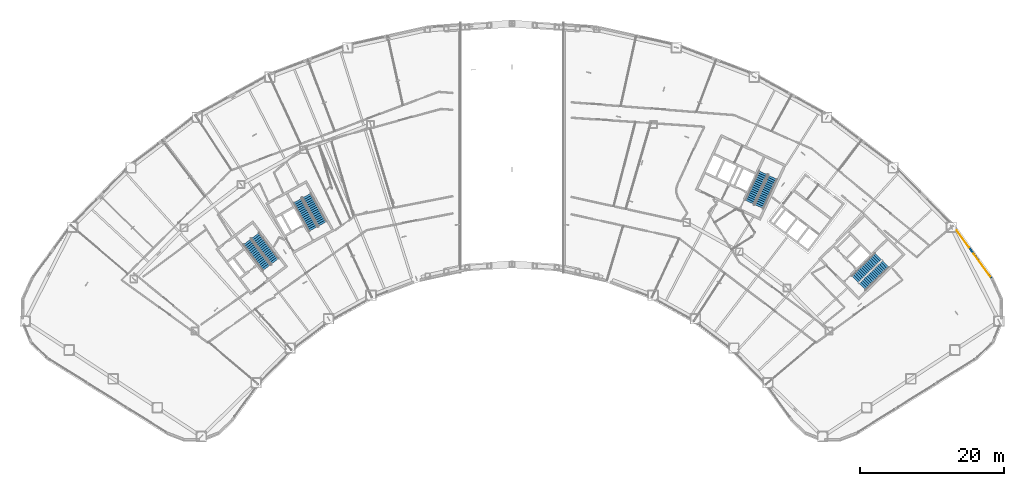
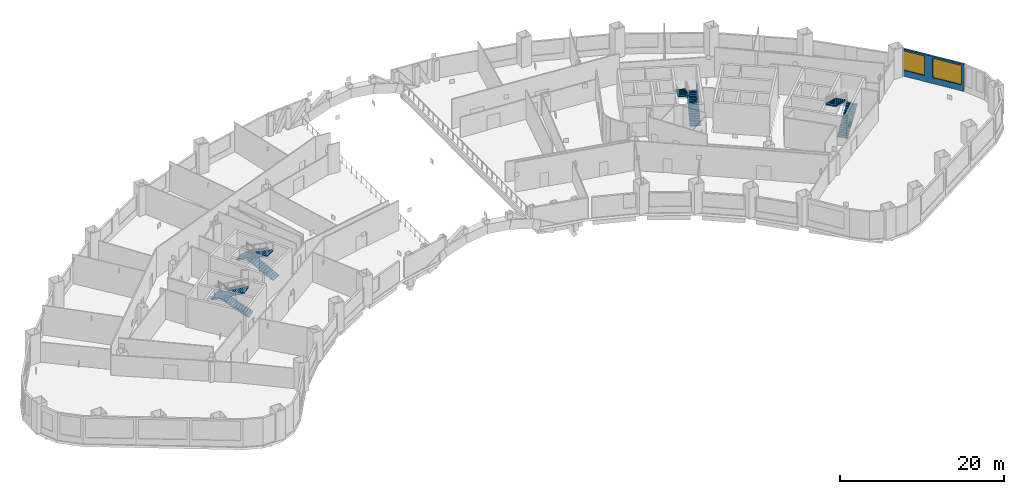
# One storey, part 13 of 24: 8 stair flights, 2 windows, 1 wall, 2 openings, 4 elements without a shape of their own.
"""IFC4 building model written with IfcOpenShell, lengths in metres."""

import ifcopenshell
import ifcopenshell.guid

model = None  # the IFC model being written
_history = None  # IfcOwnerHistory: only IFC2X3 demands one
_inside = {}  # id of a spatial element -> (the spatial element, [elements in it])
_under = {}  # id of a project, library or spatial element -> (it, [spatial elements below it])
_declared = {}  # id of a project -> (the project, [libraries it declares])
_typed = {}  # id of a type object -> (the type object, [elements of that type])
_made_of = {}  # id of a material, layer set ... -> (it, [elements and type objects made of it])


def new_model(schema):
    """Start an empty IFC model of exactly this schema.

    Asked for "IFC4X3", IfcOpenShell would pick the latest addendum, in which some entities
    have other attributes; the version numbers below select the first issue.
    IFC2X3 requires an IfcOwnerHistory on every rooted entity: one is made here for all.
    """
    global model, _history
    if schema == "IFC4X3":
        model = ifcopenshell.file(schema_version=(4, 3, 0, 0))
    else:
        model = ifcopenshell.file(schema=schema)
    _inside.clear()
    _under.clear()
    _declared.clear()
    _typed.clear()
    _made_of.clear()
    _history = None
    if model.schema == "IFC2X3":
        org = make("IfcOrganization", Name="unknown")
        user = make(
            "IfcPersonAndOrganization",
            ThePerson=make("IfcPerson", FamilyName="unknown"),
            TheOrganization=org,
        )
        app = make(
            "IfcApplication",
            ApplicationDeveloper=org,
            Version="unknown",
            ApplicationFullName="unknown",
            ApplicationIdentifier="unknown",
        )
        _history = make(
            "IfcOwnerHistory",
            OwningUser=user,
            OwningApplication=app,
            ChangeAction="ADDED",
            CreationDate=0,
        )
    return model


def make(cls, **values):
    """One entity of the class cls with the attributes given. An attribute that is None is left unset."""
    return model.create_entity(
        cls, **{name: value for name, value in values.items() if value is not None}
    )


def rooted(cls, **values):
    """An entity with a GlobalId (a new one), such as an element, a storey or a relation."""
    return make(cls, GlobalId=ifcopenshell.guid.new(), OwnerHistory=_history, **values)


def si_unit(unit_type, name, prefix=None):
    """IfcSIUnit, for example si_unit("LENGTHUNIT", "METRE", prefix="MILLI")."""
    return make("IfcSIUnit", UnitType=unit_type, Prefix=prefix, Name=name)


def assignment(units):
    """IfcUnitAssignment: the units of a project."""
    return None if units is None else make("IfcUnitAssignment", Units=units)


def point(xyz):
    """IfcCartesianPoint."""
    return None if xyz is None else make("IfcCartesianPoint", Coordinates=xyz)


def direction(xyz):
    """IfcDirection."""
    return None if xyz is None else make("IfcDirection", DirectionRatios=xyz)


def frame(location, z_axis=None, x_axis=None):
    """IfcAxis2Placement3D, a coordinate frame: its origin and axes. An axis left out is left unset."""
    return make(
        "IfcAxis2Placement3D",
        Location=point(location),
        Axis=direction(z_axis),
        RefDirection=direction(x_axis),
    )


def frame_2d(location, x_axis=None):
    """IfcAxis2Placement2D, a coordinate frame in the plane: its origin and x axis."""
    return make(
        "IfcAxis2Placement2D", Location=point(location), RefDirection=direction(x_axis)
    )


def origin():
    """The frame at (0, 0, 0) with its axes left unset."""
    return frame((0.0, 0.0, 0.0))


def place(relative_to, where):
    """IfcLocalPlacement: puts the frame where relative to a parent placement (None: the world)."""
    return make(
        "IfcLocalPlacement", PlacementRelTo=relative_to, RelativePlacement=where
    )


def context(
    kind, dimensions, precision=None, world=None, true_north=None, identifier=None
):
    """IfcGeometricRepresentationContext, for example the 3D "Model" context."""
    return make(
        "IfcGeometricRepresentationContext",
        ContextIdentifier=identifier,
        ContextType=kind,
        CoordinateSpaceDimension=dimensions,
        Precision=precision,
        WorldCoordinateSystem=world,
        TrueNorth=true_north,
    )


def subcontext(parent, identifier, kind, view, scale=None):
    """IfcGeometricRepresentationSubContext, for example "Body" below "Model"."""
    return make(
        "IfcGeometricRepresentationSubContext",
        ContextIdentifier=identifier,
        ContextType=kind,
        ParentContext=parent,
        TargetScale=scale,
        TargetView=view,
    )


def project(units=None, contexts=None):
    """IfcProject with its units and contexts."""
    return rooted(
        "IfcProject",
        Name="project",
        RepresentationContexts=contexts,
        UnitsInContext=assignment(units),
    )


def spatial(cls, under=None, at=None, **own):
    """A site, building, storey or space (cls), placed at a placement, below another one or the project."""
    s = rooted(cls, ObjectPlacement=at, **own)
    if under is not None:
        _under.setdefault(under.id(), (under, []))[1].append(s)
    return s


def polyline(points):
    """IfcPolyline through the points."""
    return make("IfcPolyline", Points=[point(p) for p in points])


def profile(cls, at=None, kind="AREA", **sizes):
    """A parametric profile (cls). Its sizes go by their IFC names, for example OverallWidth=200.0."""
    return make(cls, ProfileType=kind, Position=at, **sizes)


def rectangle(**sizes):
    """IfcRectangleProfileDef."""
    return profile("IfcRectangleProfileDef", **sizes)


def outline(outer, holes=None, kind="AREA"):
    """IfcArbitraryClosedProfileDef: a profile drawn as a closed curve; with holes, ...WithVoids."""
    if holes is None:
        return make("IfcArbitraryClosedProfileDef", ProfileType=kind, OuterCurve=outer)
    return make(
        "IfcArbitraryProfileDefWithVoids",
        ProfileType=kind,
        OuterCurve=outer,
        InnerCurves=holes,
    )


def extrude(swept, where, along, depth):
    """IfcExtrudedAreaSolid: the profile swept, set in the frame where, extruded along a direction by depth."""
    return make(
        "IfcExtrudedAreaSolid",
        SweptArea=swept,
        Position=where,
        ExtrudedDirection=direction(along),
        Depth=depth,
    )


def shape(context_of_items, identifier, shape_type, items):
    """IfcShapeRepresentation: the items that make up one representation, for example the "Body"."""
    return make(
        "IfcShapeRepresentation",
        ContextOfItems=context_of_items,
        RepresentationIdentifier=identifier,
        RepresentationType=shape_type,
        Items=items,
    )


def material(Name=None, Category=None):
    """IfcMaterial."""
    return make("IfcMaterial", Name=Name, Category=Category)


def layer(
    of_material, thickness, ventilated=None, Name=None, Category=None, Priority=None
):
    """IfcMaterialLayer: one layer of a wall or slab, of a material (None: an air gap)."""
    return make(
        "IfcMaterialLayer",
        Material=of_material,
        LayerThickness=thickness,
        IsVentilated=ventilated,
        Name=Name,
        Category=Category,
        Priority=Priority,
    )


def layer_set(layers, Name=None):
    """IfcMaterialLayerSet."""
    return make("IfcMaterialLayerSet", MaterialLayers=layers, LayerSetName=Name)


def made_of(thing, what):
    """Note that an element or type object is made of a material, layer set ...; save() writes the relation."""
    if what is not None:
        _made_of.setdefault(what.id(), (what, []))[1].append(thing)
    return thing


def type_object(cls, material=None, **own):
    """A type object (cls), such as IfcWallType, which elements share."""
    return made_of(rooted(cls, **own), material)


def element(
    cls,
    number,
    at=None,
    inside=None,
    cuts=None,
    type_object=None,
    material=None,
    context=None,
    identifier="Body",
    shape_type=None,
    held_by="IfcProductDefinitionShape",
    body=None,
    shapes=None,
    **own,
):
    """One element of the class cls, such as IfcWall. Its Tag is "e" and its number.

    at: its placement. inside: the storey or other place that contains it. cuts: it is an
    opening in that element (IfcRelVoidsElement). A single representation is given by context,
    identifier, shape_type and body (its items); several are given by shapes. held_by: the class
    of the entity that holds the representations. save() writes the other relations.
    """
    e = rooted(cls, Tag="e%d" % number, ObjectPlacement=at, **own)
    if body is not None:
        shapes = [shape(context, identifier, shape_type, body)]
    if shapes is not None:
        e.Representation = make(held_by, Representations=shapes)
    if inside is not None:
        _inside.setdefault(inside.id(), (inside, []))[1].append(e)
    if cuts is not None:
        rooted(
            "IfcRelVoidsElement", RelatingBuildingElement=cuts, RelatedOpeningElement=e
        )
    if type_object is not None:
        _typed.setdefault(type_object.id(), (type_object, []))[1].append(e)
    return made_of(e, material)


def fill(opening, filler):
    """IfcRelFillsElement: the door or window that sits in an opening."""
    return rooted(
        "IfcRelFillsElement",
        RelatingOpeningElement=opening,
        RelatedBuildingElement=filler,
    )


def aggregate(whole, parts):
    """IfcRelAggregates: a whole, such as a stair, and the parts it consists of."""
    return rooted("IfcRelAggregates", RelatingObject=whole, RelatedObjects=parts)


def save(model, path):
    """Write the relations noted so far, then the file.

    IfcRelAggregates (storeys below a building ...), IfcRelContainedInSpatialStructure (elements
    in a storey), IfcRelDefinesByType, IfcRelAssociatesMaterial and IfcRelDeclares: one each for
    every whole, place, type object, material and project.
    """
    for whole, parts in _under.values():
        aggregate(whole, parts)
    for where, things in _inside.values():
        rooted(
            "IfcRelContainedInSpatialStructure",
            RelatedElements=things,
            RelatingStructure=where,
        )
    for kind, things in _typed.values():
        rooted("IfcRelDefinesByType", RelatedObjects=things, RelatingType=kind)
    for what, things in _made_of.values():
        rooted("IfcRelAssociatesMaterial", RelatedObjects=things, RelatingMaterial=what)
    for by, libraries in _declared.values():
        rooted("IfcRelDeclares", RelatingContext=by, RelatedDefinitions=libraries)
    model.write(path)


model = new_model("IFC4")

# Units and contexts
model_context = context("Model", 3, precision=1e-05, world=origin(), true_north=direction((0.0, 1.0)))
body_context = subcontext(model_context, "Body", "Model", "MODEL_VIEW")
ifc_project = project(units=[si_unit("LENGTHUNIT", "METRE"), si_unit("AREAUNIT", "SQUARE_METRE"), si_unit("VOLUMEUNIT", "CUBIC_METRE"), si_unit("PLANEANGLEUNIT", "RADIAN"), si_unit("MASSUNIT", "GRAM", prefix="KILO")], contexts=[model_context])

# Site, building, storey
site_placement = place(None, origin())
site = spatial("IfcSite", under=ifc_project, at=site_placement, CompositionType="ELEMENT")
building_placement = place(site_placement, origin())
building = spatial("IfcBuilding", under=site, at=building_placement, Name="Tuul Gate Civic Tower", CompositionType="ELEMENT")
storey_placement = place(building_placement, frame((0.0, 0.0, 21.89990234375)))
storey = spatial("IfcBuildingStorey", under=building, at=storey_placement, Name="Level 04", CompositionType="ELEMENT", Elevation=21.89990234375)

# Wall, openings, windows
ifc_material_1 = material(Name="Precast concrete C40/50", Category="concrete")
ifc_layer = layer(ifc_material_1, 0.25)
ifc_layer_set = layer_set([ifc_layer], Name="Precast concrete C40/50")
wall_type = type_object("IfcWallType", Name="External wall", PredefinedType="STANDARD", material=ifc_layer_set)
wall_placement = place(storey_placement, frame((66.53515625, -15.40771484375, 0.0), z_axis=(0.0, 0.0, 1.0), x_axis=(-0.589883240256, 0.807488552777, 0.0)))
wall = element("IfcWall", 1, at=wall_placement, inside=storey, type_object=wall_type, Name="External wall", PredefinedType="STANDARD", context=body_context, shape_type="SweptSolid", body=[
    extrude(rectangle(XDim=8.26318359375, YDim=0.25, at=frame_2d((4.131591796875, 0.0))), origin(), (0.0, 0.0, 1.0), 4.050048828125),
])
opening_1_placement = place(wall_placement, frame((0.309326171875, 0.0, 0.89990234375)))
opening_1 = element("IfcOpeningElement", 2, at=opening_1_placement, cuts=wall, Name="Opening W11", PredefinedType="OPENING", context=body_context, shape_type="SweptSolid", body=[
    extrude(rectangle(XDim=3.89990234375, YDim=2.89990234375, at=frame_2d((1.949951171875, 1.449951171875))), frame((0.0, 0.135009765625, 0.0), z_axis=(0.0, -1.0, 0.0), x_axis=(1.0, 0.0, 0.0)), (0.0, 0.0, 1.0), 0.27001953125),
])
opening_2_placement = place(wall_placement, frame((5.277099609375, 0.0, 0.89990234375)))
opening_2 = element("IfcOpeningElement", 3, at=opening_2_placement, cuts=wall, Name="Opening W83", PredefinedType="OPENING", context=body_context, shape_type="SweptSolid", body=[
    extrude(rectangle(XDim=2.89990234375, YDim=2.89990234375, at=frame_2d((1.449951171875, 1.449951171875))), frame((0.0, 0.135009765625, 0.0), z_axis=(0.0, -1.0, 0.0), x_axis=(1.0, 0.0, 0.0)), (0.0, 0.0, 1.0), 0.27001953125),
])
ifc_material_2 = material(Name="Glass", Category="glass")
window_type_1 = type_object("IfcWindowType", Name="Window W11 3900 x 2900", PartitioningType="SINGLE_PANEL", PredefinedType="WINDOW", material=ifc_material_2)
window_1_placement = place(opening_1_placement, origin())
window_1 = element("IfcWindow", 4, at=window_1_placement, inside=storey, type_object=window_type_1, Name="Window", OverallHeight=2.89990234375, OverallWidth=3.89990234375, PartitioningType="SINGLE_PANEL", PredefinedType="WINDOW", context=body_context, shape_type="SweptSolid", body=[
    extrude(rectangle(XDim=3.89990234375, YDim=2.89990234375, at=frame_2d((1.949951171875, 1.449951171875))), frame((0.0, 0.030029296875, 0.0), z_axis=(0.0, -1.0, 0.0), x_axis=(1.0, 0.0, 0.0)), (0.0, 0.0, 1.0), 0.06005859375),
])
fill(opening_1, window_1)
ifc_material_3 = material(Name="Glass", Category="glass")
window_type_2 = type_object("IfcWindowType", Name="Window W83 2900 x 2900", PartitioningType="SINGLE_PANEL", PredefinedType="WINDOW", material=ifc_material_3)
window_2_placement = place(opening_2_placement, origin())
window_2 = element("IfcWindow", 5, at=window_2_placement, inside=storey, type_object=window_type_2, Name="Window", OverallHeight=2.89990234375, OverallWidth=2.89990234375, PartitioningType="SINGLE_PANEL", PredefinedType="WINDOW", context=body_context, shape_type="SweptSolid", body=[
    extrude(rectangle(XDim=2.89990234375, YDim=2.89990234375, at=frame_2d((1.449951171875, 1.449951171875))), frame((0.0, 0.030029296875, 0.0), z_axis=(0.0, -1.0, 0.0), x_axis=(1.0, 0.0, 0.0)), (0.0, 0.0, 1.0), 0.06005859375),
])
fill(opening_2, window_2)

# Stair, stair flights
ifc_material_4 = material(Name="Concrete C40/50", Category="concrete")
stair_type = type_object("IfcStairType", Name="Exit stair", PredefinedType="HALF_TURN_STAIR", material=ifc_material_4)
stair_1_placement = place(storey_placement, origin())
stair_1 = element("IfcStair", 6, at=stair_1_placement, inside=storey, type_object=stair_type, Name="Level 04 ST-1", PredefinedType="HALF_TURN_STAIR")
ifc_material_5 = material(Name="Concrete C40/50", Category="concrete")
stair_flight_type = type_object("IfcStairFlightType", Name="Exit stair flight", PredefinedType="STRAIGHT", material=ifc_material_5)
stair_flight_1_placement = place(storey_placement, frame((-32.875244140625, -13.066650390625, 0.0), z_axis=(0.0, 0.0, 1.0), x_axis=(-0.605764474941, 0.795644016442, 0.0)))
stair_flight_1 = element("IfcStairFlight", 7, at=stair_flight_1_placement, type_object=stair_flight_type, Name="ST-1 flight 1", NumberOfRisers=16, NumberOfTreads=15, PredefinedType="STRAIGHT", RiserHeight=0.15, TreadLength=0.3, context=body_context, shape_type="SweptSolid", body=[
    extrude(outline(polyline([(0.0, 0.0), (0.0, 0.14990234375), (0.300048828125, 0.14990234375), (0.300048828125, 0.300048828125), (0.60009765625, 0.300048828125), (0.60009765625, 0.449951171875), (0.89990234375, 0.449951171875), (0.89990234375, 0.60009765625), (1.199951171875, 0.60009765625), (1.199951171875, 0.75), (1.5, 0.75), (1.5, 0.89990234375), (1.800048828125, 0.89990234375), (1.800048828125, 1.050048828125), (2.10009765625, 1.050048828125), (2.10009765625, 1.199951171875), (2.39990234375, 1.199951171875), (2.39990234375, 1.35009765625), (2.699951171875, 1.35009765625), (2.699951171875, 1.5), (3.0, 1.5), (3.0, 1.64990234375), (3.300048828125, 1.64990234375), (3.300048828125, 1.800048828125), (3.60009765625, 1.800048828125), (3.60009765625, 1.949951171875), (3.89990234375, 1.949951171875), (3.89990234375, 2.10009765625), (4.199951171875, 2.10009765625), (4.199951171875, 2.25), (4.5, 2.25), (4.5, 2.39990234375), (4.5, 2.08251953125), (0.335205078125, 0.0), (0.0, 0.0)])), frame((0.0, 0.675048828125, 0.0), z_axis=(0.0, -1.0, 0.0), x_axis=(1.0, 0.0, 0.0)), (0.0, 0.0, 1.0), 1.35009765625),
])
stair_flight_2_placement = place(storey_placement, frame((-36.7548828125, -10.36474609375, 2.400146484375), z_axis=(0.0, 0.0, 1.0), x_axis=(0.605764474941, -0.795644016442, 0.0)))
stair_flight_2 = element("IfcStairFlight", 8, at=stair_flight_2_placement, type_object=stair_flight_type, Name="ST-1 flight 2", NumberOfRisers=16, NumberOfTreads=15, PredefinedType="STRAIGHT", RiserHeight=0.15, TreadLength=0.3, context=body_context, shape_type="SweptSolid", body=[
    extrude(outline(polyline([(0.0, 0.0), (0.0, 0.14990234375), (0.300048828125, 0.14990234375), (0.300048828125, 0.300048828125), (0.60009765625, 0.300048828125), (0.60009765625, 0.449951171875), (0.89990234375, 0.449951171875), (0.89990234375, 0.60009765625), (1.199951171875, 0.60009765625), (1.199951171875, 0.75), (1.5, 0.75), (1.5, 0.89990234375), (1.800048828125, 0.89990234375), (1.800048828125, 1.050048828125), (2.10009765625, 1.050048828125), (2.10009765625, 1.199951171875), (2.39990234375, 1.199951171875), (2.39990234375, 1.35009765625), (2.699951171875, 1.35009765625), (2.699951171875, 1.5), (3.0, 1.5), (3.0, 1.64990234375), (3.300048828125, 1.64990234375), (3.300048828125, 1.800048828125), (3.60009765625, 1.800048828125), (3.60009765625, 1.949951171875), (3.89990234375, 1.949951171875), (3.89990234375, 2.10009765625), (4.199951171875, 2.10009765625), (4.199951171875, 2.25), (4.5, 2.25), (4.5, 2.39990234375), (4.5, 2.08251953125), (0.335205078125, 0.0), (0.0, 0.0)])), frame((0.0, 0.675048828125, 0.0), z_axis=(0.0, -1.0, 0.0), x_axis=(1.0, 0.0, 0.0)), (0.0, 0.0, 1.0), 1.35009765625),
])
aggregate(stair_1, [stair_flight_1, stair_flight_2])

stair_2_placement = place(storey_placement, origin())
stair_2 = element("IfcStair", 9, at=stair_2_placement, inside=storey, type_object=stair_type, Name="Level 04 ST-2", PredefinedType="HALF_TURN_STAIR")
stair_flight_3_placement = place(storey_placement, frame((-26.29150390625, -7.87646484375, 0.0), z_axis=(0.0, 0.0, 1.0), x_axis=(-0.484761763766, 0.874646232708, 0.0)))
stair_flight_3 = element("IfcStairFlight", 10, at=stair_flight_3_placement, type_object=stair_flight_type, Name="ST-2 flight 1", NumberOfRisers=16, NumberOfTreads=15, PredefinedType="STRAIGHT", RiserHeight=0.15, TreadLength=0.3, context=body_context, shape_type="SweptSolid", body=[
    extrude(outline(polyline([(0.0, 0.0), (0.0, 0.14990234375), (0.300048828125, 0.14990234375), (0.300048828125, 0.300048828125), (0.60009765625, 0.300048828125), (0.60009765625, 0.449951171875), (0.89990234375, 0.449951171875), (0.89990234375, 0.60009765625), (1.199951171875, 0.60009765625), (1.199951171875, 0.75), (1.5, 0.75), (1.5, 0.89990234375), (1.800048828125, 0.89990234375), (1.800048828125, 1.050048828125), (2.10009765625, 1.050048828125), (2.10009765625, 1.199951171875), (2.39990234375, 1.199951171875), (2.39990234375, 1.35009765625), (2.699951171875, 1.35009765625), (2.699951171875, 1.5), (3.0, 1.5), (3.0, 1.64990234375), (3.300048828125, 1.64990234375), (3.300048828125, 1.800048828125), (3.60009765625, 1.800048828125), (3.60009765625, 1.949951171875), (3.89990234375, 1.949951171875), (3.89990234375, 2.10009765625), (4.199951171875, 2.10009765625), (4.199951171875, 2.25), (4.5, 2.25), (4.5, 2.39990234375), (4.5, 2.08251953125), (0.335205078125, 0.0), (0.0, 0.0)])), frame((0.0, 0.675048828125, 0.0), z_axis=(0.0, -1.0, 0.0), x_axis=(1.0, 0.0, 0.0)), (0.0, 0.0, 1.0), 1.35009765625),
])
stair_flight_4_placement = place(storey_placement, frame((-29.7412109375, -4.6435546875, 2.400146484375), z_axis=(0.0, 0.0, 1.0), x_axis=(0.484761763766, -0.874646232708, 0.0)))
stair_flight_4 = element("IfcStairFlight", 11, at=stair_flight_4_placement, type_object=stair_flight_type, Name="ST-2 flight 2", NumberOfRisers=16, NumberOfTreads=15, PredefinedType="STRAIGHT", RiserHeight=0.15, TreadLength=0.3, context=body_context, shape_type="SweptSolid", body=[
    extrude(outline(polyline([(0.0, 0.0), (0.0, 0.14990234375), (0.300048828125, 0.14990234375), (0.300048828125, 0.300048828125), (0.60009765625, 0.300048828125), (0.60009765625, 0.449951171875), (0.89990234375, 0.449951171875), (0.89990234375, 0.60009765625), (1.199951171875, 0.60009765625), (1.199951171875, 0.75), (1.5, 0.75), (1.5, 0.89990234375), (1.800048828125, 0.89990234375), (1.800048828125, 1.050048828125), (2.10009765625, 1.050048828125), (2.10009765625, 1.199951171875), (2.39990234375, 1.199951171875), (2.39990234375, 1.35009765625), (2.699951171875, 1.35009765625), (2.699951171875, 1.5), (3.0, 1.5), (3.0, 1.64990234375), (3.300048828125, 1.64990234375), (3.300048828125, 1.800048828125), (3.60009765625, 1.800048828125), (3.60009765625, 1.949951171875), (3.89990234375, 1.949951171875), (3.89990234375, 2.10009765625), (4.199951171875, 2.10009765625), (4.199951171875, 2.25), (4.5, 2.25), (4.5, 2.39990234375), (4.5, 2.08251953125), (0.335205078125, 0.0), (0.0, 0.0)])), frame((0.0, 0.675048828125, 0.0), z_axis=(0.0, -1.0, 0.0), x_axis=(1.0, 0.0, 0.0)), (0.0, 0.0, 1.0), 1.35009765625),
])
aggregate(stair_2, [stair_flight_3, stair_flight_4])

stair_3_placement = place(storey_placement, origin())
stair_3 = element("IfcStair", 12, at=stair_3_placement, inside=storey, type_object=stair_type, Name="Level 04 ST-3", PredefinedType="HALF_TURN_STAIR")
stair_flight_5_placement = place(storey_placement, frame((48.61376953125, -16.581787109375, 0.0), z_axis=(0.0, 0.0, 1.0), x_axis=(0.714127290059, 0.700015866672, 0.0)))
stair_flight_5 = element("IfcStairFlight", 13, at=stair_flight_5_placement, type_object=stair_flight_type, Name="ST-3 flight 1", NumberOfRisers=16, NumberOfTreads=15, PredefinedType="STRAIGHT", RiserHeight=0.15, TreadLength=0.3, context=body_context, shape_type="SweptSolid", body=[
    extrude(outline(polyline([(0.0, 0.0), (0.0, 0.14990234375), (0.300048828125, 0.14990234375), (0.300048828125, 0.300048828125), (0.60009765625, 0.300048828125), (0.60009765625, 0.449951171875), (0.89990234375, 0.449951171875), (0.89990234375, 0.60009765625), (1.199951171875, 0.60009765625), (1.199951171875, 0.75), (1.5, 0.75), (1.5, 0.89990234375), (1.800048828125, 0.89990234375), (1.800048828125, 1.050048828125), (2.10009765625, 1.050048828125), (2.10009765625, 1.199951171875), (2.39990234375, 1.199951171875), (2.39990234375, 1.35009765625), (2.699951171875, 1.35009765625), (2.699951171875, 1.5), (3.0, 1.5), (3.0, 1.64990234375), (3.300048828125, 1.64990234375), (3.300048828125, 1.800048828125), (3.60009765625, 1.800048828125), (3.60009765625, 1.949951171875), (3.89990234375, 1.949951171875), (3.89990234375, 2.10009765625), (4.199951171875, 2.10009765625), (4.199951171875, 2.25), (4.5, 2.25), (4.5, 2.39990234375), (4.5, 2.08251953125), (0.335205078125, 0.0), (0.0, 0.0)])), frame((0.0, 0.675048828125, 0.0), z_axis=(0.0, -1.0, 0.0), x_axis=(1.0, 0.0, 0.0)), (0.0, 0.0, 1.0), 1.35009765625),
])
stair_flight_6_placement = place(storey_placement, frame((50.812255859375, -12.396240234375, 2.400146484375), z_axis=(0.0, 0.0, 1.0), x_axis=(-0.714127290059, -0.700015866672, 0.0)))
stair_flight_6 = element("IfcStairFlight", 14, at=stair_flight_6_placement, type_object=stair_flight_type, Name="ST-3 flight 2", NumberOfRisers=16, NumberOfTreads=15, PredefinedType="STRAIGHT", RiserHeight=0.15, TreadLength=0.3, context=body_context, shape_type="SweptSolid", body=[
    extrude(outline(polyline([(0.0, 0.0), (0.0, 0.14990234375), (0.300048828125, 0.14990234375), (0.300048828125, 0.300048828125), (0.60009765625, 0.300048828125), (0.60009765625, 0.449951171875), (0.89990234375, 0.449951171875), (0.89990234375, 0.60009765625), (1.199951171875, 0.60009765625), (1.199951171875, 0.75), (1.5, 0.75), (1.5, 0.89990234375), (1.800048828125, 0.89990234375), (1.800048828125, 1.050048828125), (2.10009765625, 1.050048828125), (2.10009765625, 1.199951171875), (2.39990234375, 1.199951171875), (2.39990234375, 1.35009765625), (2.699951171875, 1.35009765625), (2.699951171875, 1.5), (3.0, 1.5), (3.0, 1.64990234375), (3.300048828125, 1.64990234375), (3.300048828125, 1.800048828125), (3.60009765625, 1.800048828125), (3.60009765625, 1.949951171875), (3.89990234375, 1.949951171875), (3.89990234375, 2.10009765625), (4.199951171875, 2.10009765625), (4.199951171875, 2.25), (4.5, 2.25), (4.5, 2.39990234375), (4.5, 2.08251953125), (0.335205078125, 0.0), (0.0, 0.0)])), frame((0.0, 0.675048828125, 0.0), z_axis=(0.0, -1.0, 0.0), x_axis=(1.0, 0.0, 0.0)), (0.0, 0.0, 1.0), 1.35009765625),
])
aggregate(stair_3, [stair_flight_5, stair_flight_6])

stair_4_placement = place(storey_placement, origin())
stair_4 = element("IfcStair", 15, at=stair_4_placement, inside=storey, type_object=stair_type, Name="Level 04 ST-4", PredefinedType="HALF_TURN_STAIR")
stair_flight_7_placement = place(storey_placement, frame((34.278564453125, -5.478515625, 0.0), z_axis=(0.0, 0.0, 1.0), x_axis=(0.422576295988, 0.906327354806, 0.0)))
stair_flight_7 = element("IfcStairFlight", 16, at=stair_flight_7_placement, type_object=stair_flight_type, Name="ST-4 flight 1", NumberOfRisers=16, NumberOfTreads=15, PredefinedType="STRAIGHT", RiserHeight=0.15, TreadLength=0.3, context=body_context, shape_type="SweptSolid", body=[
    extrude(outline(polyline([(0.0, 0.0), (0.0, 0.14990234375), (0.300048828125, 0.14990234375), (0.300048828125, 0.300048828125), (0.60009765625, 0.300048828125), (0.60009765625, 0.449951171875), (0.89990234375, 0.449951171875), (0.89990234375, 0.60009765625), (1.199951171875, 0.60009765625), (1.199951171875, 0.75), (1.5, 0.75), (1.5, 0.89990234375), (1.800048828125, 0.89990234375), (1.800048828125, 1.050048828125), (2.10009765625, 1.050048828125), (2.10009765625, 1.199951171875), (2.39990234375, 1.199951171875), (2.39990234375, 1.35009765625), (2.699951171875, 1.35009765625), (2.699951171875, 1.5), (3.0, 1.5), (3.0, 1.64990234375), (3.300048828125, 1.64990234375), (3.300048828125, 1.800048828125), (3.60009765625, 1.800048828125), (3.60009765625, 1.949951171875), (3.89990234375, 1.949951171875), (3.89990234375, 2.10009765625), (4.199951171875, 2.10009765625), (4.199951171875, 2.25), (4.5, 2.25), (4.5, 2.39990234375), (4.5, 2.08251953125), (0.335205078125, 0.0), (0.0, 0.0)])), frame((0.0, 0.675048828125, 0.0), z_axis=(0.0, -1.0, 0.0), x_axis=(1.0, 0.0, 0.0)), (0.0, 0.0, 1.0), 1.35009765625),
])
stair_flight_8_placement = place(storey_placement, frame((34.865966796875, -0.787353515625, 2.400146484375), z_axis=(0.0, 0.0, 1.0), x_axis=(-0.422576295988, -0.906327354806, 0.0)))
stair_flight_8 = element("IfcStairFlight", 17, at=stair_flight_8_placement, type_object=stair_flight_type, Name="ST-4 flight 2", NumberOfRisers=16, NumberOfTreads=15, PredefinedType="STRAIGHT", RiserHeight=0.15, TreadLength=0.3, context=body_context, shape_type="SweptSolid", body=[
    extrude(outline(polyline([(0.0, 0.0), (0.0, 0.14990234375), (0.300048828125, 0.14990234375), (0.300048828125, 0.300048828125), (0.60009765625, 0.300048828125), (0.60009765625, 0.449951171875), (0.89990234375, 0.449951171875), (0.89990234375, 0.60009765625), (1.199951171875, 0.60009765625), (1.199951171875, 0.75), (1.5, 0.75), (1.5, 0.89990234375), (1.800048828125, 0.89990234375), (1.800048828125, 1.050048828125), (2.10009765625, 1.050048828125), (2.10009765625, 1.199951171875), (2.39990234375, 1.199951171875), (2.39990234375, 1.35009765625), (2.699951171875, 1.35009765625), (2.699951171875, 1.5), (3.0, 1.5), (3.0, 1.64990234375), (3.300048828125, 1.64990234375), (3.300048828125, 1.800048828125), (3.60009765625, 1.800048828125), (3.60009765625, 1.949951171875), (3.89990234375, 1.949951171875), (3.89990234375, 2.10009765625), (4.199951171875, 2.10009765625), (4.199951171875, 2.25), (4.5, 2.25), (4.5, 2.39990234375), (4.5, 2.08251953125), (0.335205078125, 0.0), (0.0, 0.0)])), frame((0.0, 0.675048828125, 0.0), z_axis=(0.0, -1.0, 0.0), x_axis=(1.0, 0.0, 0.0)), (0.0, 0.0, 1.0), 1.35009765625),
])
aggregate(stair_4, [stair_flight_7, stair_flight_8])

save(model, "model.ifc")
